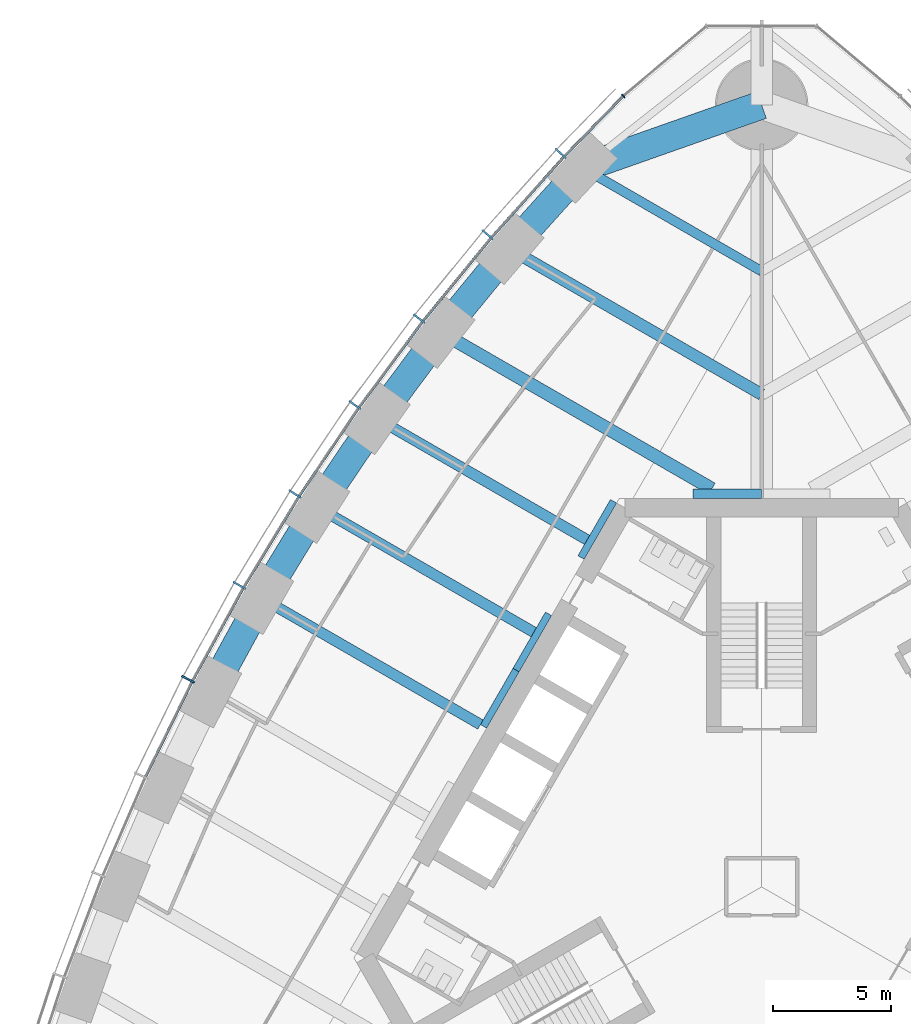
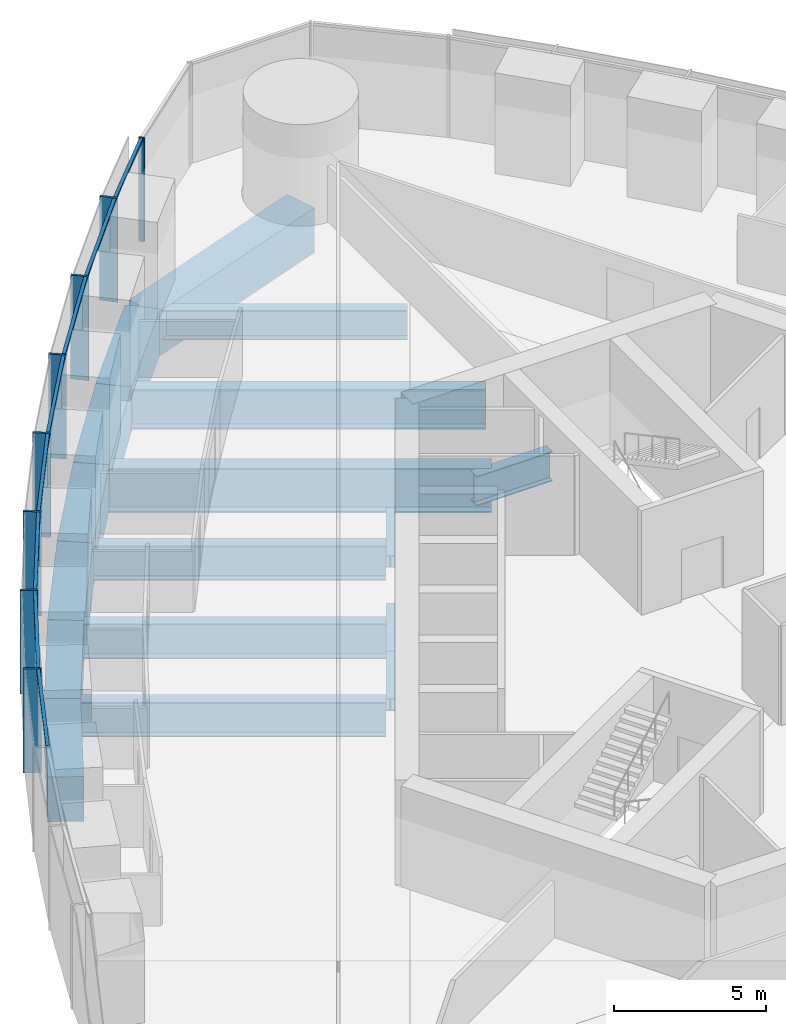
# One storey, part 5 of 19: 17 beams, 16 members, 2 elements without a shape of their own.
"""IFC4 building model written with IfcOpenShell, lengths in metres."""

from ifc_helpers import new_model, si_unit, direction, frame, origin, origin_2d, place, context, subcontext, project, spatial, rectangle, i_section, extrude, material, material_profile, profile_set, type_object, element, aggregate, save


model = new_model("IFC4")

# Units and contexts
model_context = context("Model", 3, precision=1e-05, world=origin(), true_north=direction((0.0, 1.0)))
body_context = subcontext(model_context, "Body", "Model", "MODEL_VIEW")
ifc_project = project(units=[si_unit("LENGTHUNIT", "METRE"), si_unit("AREAUNIT", "SQUARE_METRE"), si_unit("VOLUMEUNIT", "CUBIC_METRE"), si_unit("PLANEANGLEUNIT", "RADIAN"), si_unit("MASSUNIT", "GRAM", prefix="KILO")], contexts=[model_context])

# Site, building, storey
site_placement = place(None, origin())
site = spatial("IfcSite", under=ifc_project, at=site_placement, CompositionType="ELEMENT")
building_placement = place(site_placement, origin())
building = spatial("IfcBuilding", under=site, at=building_placement, Name="Trefoil Bronze Tower", CompositionType="ELEMENT")
storey_placement = place(building_placement, frame((0.0, 0.0, 189.699951171875)))
storey = spatial("IfcBuildingStorey", under=building, at=storey_placement, Name="L43", CompositionType="ELEMENT", Elevation=189.699951171875)

# Curtain wall, members
ifc_material_1 = material(Name="Tinted solar-control glass", Category="glass")
curtain_wall_type_1 = type_object("IfcCurtainWallType", Name="Bronze office curtain wall", PredefinedType="USERDEFINED", material=ifc_material_1)
curtain_wall_1_placement = place(storey_placement, origin())
curtain_wall_1 = element("IfcCurtainWall", 1, at=curtain_wall_1_placement, inside=storey, type_object=curtain_wall_type_1, Name="CW-A L43 F3", ObjectType="CURTAIN WALL", PredefinedType="USERDEFINED")
ifc_material_2 = material(Name="Bronze-finish aluminium", Category="aluminium")
ifc_material_profile_1 = material_profile(ifc_material_2, rectangle(XDim=0.60009765625, YDim=0.080078125, at=origin_2d()), Name="CW-A mullion")
ifc_profile_set_1 = profile_set([ifc_material_profile_1], Name="Bronze-finish aluminium")
member_type_1 = type_object("IfcMemberType", Name="Bronze office curtain wall mullion", PredefinedType="MULLION", material=ifc_profile_set_1)
member_1_placement = place(storey_placement, frame((-8.482177734375, 30.95654296875, 0.0), z_axis=(0.0, 0.0, 1.0), x_axis=(0.729859580661, -0.683597098091, 0.0)))
member_1 = element("IfcMember", 2, at=member_1_placement, type_object=member_type_1, Name="CW-A L43 F3 mullion 2", PredefinedType="MULLION", context=body_context, shape_type="SweptSolid", body=[
    extrude(rectangle(XDim=0.60009765625, YDim=0.080078125, at=origin_2d()), origin(), (0.0, 0.0, 1.0), 4.179931640625),
])
member_2_placement = place(storey_placement, frame((-11.564697265625, 27.525146484375, 0.0), z_axis=(0.0, 0.0, 1.0), x_axis=(0.75935470958, -0.650676897576, 0.0)))
member_2 = element("IfcMember", 3, at=member_2_placement, type_object=member_type_1, Name="CW-A L43 F3 mullion 3", PredefinedType="MULLION", context=body_context, shape_type="SweptSolid", body=[
    extrude(rectangle(XDim=0.60009765625, YDim=0.080078125, at=origin_2d()), origin(), (0.0, 0.0, 1.0), 4.179931640625),
])
member_3_placement = place(storey_placement, frame((-14.45849609375, 23.98388671875, 0.0), z_axis=(0.0, 0.0, 1.0), x_axis=(0.788821461078, -0.614622406476, 0.0)))
member_3 = element("IfcMember", 4, at=member_3_placement, type_object=member_type_1, Name="CW-A L43 F3 mullion 4", PredefinedType="MULLION", context=body_context, shape_type="SweptSolid", body=[
    extrude(rectangle(XDim=0.60009765625, YDim=0.080078125, at=origin_2d()), origin(), (0.0, 0.0, 1.0), 4.179931640625),
])
member_4_placement = place(storey_placement, frame((-17.167236328125, 20.335693359375, 0.0), z_axis=(0.0, 0.0, 1.0), x_axis=(0.81640398396, -0.577481198806, 0.0)))
member_4 = element("IfcMember", 5, at=member_4_placement, type_object=member_type_1, Name="CW-A L43 F3 mullion 5", PredefinedType="MULLION", context=body_context, shape_type="SweptSolid", body=[
    extrude(rectangle(XDim=0.60009765625, YDim=0.080078125, at=origin_2d()), origin(), (0.0, 0.0, 1.0), 4.179931640625),
])
member_5_placement = place(storey_placement, frame((-19.694091796875, 16.58251953125, 0.0), z_axis=(0.0, 0.0, 1.0), x_axis=(0.842132664593, -0.539270410114, 0.0)))
member_5 = element("IfcMember", 6, at=member_5_placement, type_object=member_type_1, Name="CW-A L43 F3 mullion 6", PredefinedType="MULLION", context=body_context, shape_type="SweptSolid", body=[
    extrude(rectangle(XDim=0.60009765625, YDim=0.080078125, at=origin_2d()), origin(), (0.0, 0.0, 1.0), 4.179931640625),
])
member_6_placement = place(storey_placement, frame((-22.041015625, 12.725341796875, 0.0), z_axis=(0.0, 0.0, 1.0), x_axis=(0.866025403784, -0.5, 0.0)))
member_6 = element("IfcMember", 7, at=member_6_placement, type_object=member_type_1, Name="CW-A L43 F3 mullion 7", PredefinedType="MULLION", context=body_context, shape_type="SweptSolid", body=[
    extrude(rectangle(XDim=0.60009765625, YDim=0.080078125, at=origin_2d()), origin(), (0.0, 0.0, 1.0), 4.179931640625),
])
member_7_placement = place(storey_placement, frame((-24.2080078125, 8.764404296875, 0.0), z_axis=(0.0, 0.0, 1.0), x_axis=(0.888088206965, -0.459673075837, 0.0)))
member_7 = element("IfcMember", 8, at=member_7_placement, type_object=member_type_1, Name="CW-A L43 F3 mullion 8", PredefinedType="MULLION", context=body_context, shape_type="SweptSolid", body=[
    extrude(rectangle(XDim=0.60009765625, YDim=0.080078125, at=origin_2d()), origin(), (0.0, 0.0, 1.0), 4.179931640625),
])
ifc_material_3 = material(Name="Bronze-finish aluminium", Category="aluminium")
ifc_material_profile_2 = material_profile(ifc_material_3, rectangle(XDim=0.1201171875, YDim=0.10009765625, at=origin_2d()), Name="CW-A transom")
ifc_profile_set_2 = profile_set([ifc_material_profile_2], Name="Bronze-finish aluminium")
member_type_2 = type_object("IfcMemberType", Name="Bronze office curtain wall transom", PredefinedType="USERDEFINED", material=ifc_profile_set_2)
member_8_placement = place(storey_placement, frame((-5.873046875, 33.342529296875, 4.130126953125), z_axis=(-0.698646935368, -0.715466602785, 0.0), x_axis=(0.715466602785, -0.698646935368, 0.0)))
member_8 = element("IfcMember", 9, at=member_8_placement, type_object=member_type_2, Name="CW-A L43 F3 transom 1", ObjectType="TRANSOM", PredefinedType="USERDEFINED", context=body_context, shape_type="SweptSolid", body=[
    extrude(rectangle(XDim=0.1201171875, YDim=0.10009765625, at=origin_2d()), origin(), (0.0, 0.0, 1.0), 3.483642578125),
])
member_9_placement = place(storey_placement, frame((-8.364501953125, 30.78857421875, 4.130126953125), z_axis=(-0.66825109551, -0.743935799213, 0.0), x_axis=(0.743935799213, -0.66825109551, 0.0)))
member_9 = element("IfcMember", 10, at=member_9_placement, type_object=member_type_2, Name="CW-A L43 F3 transom 2", ObjectType="TRANSOM", PredefinedType="USERDEFINED", context=body_context, shape_type="SweptSolid", body=[
    extrude(rectangle(XDim=0.1201171875, YDim=0.10009765625, at=origin_2d()), origin(), (0.0, 0.0, 1.0), 4.519287109375),
])
member_10_placement = place(storey_placement, frame((-11.439453125, 27.3623046875, 4.130126953125), z_axis=(-0.632756871921, -0.774350528531, 0.0), x_axis=(0.774350528531, -0.632756871921, 0.0)))
member_10 = element("IfcMember", 11, at=member_10_placement, type_object=member_type_2, Name="CW-A L43 F3 transom 3", ObjectType="TRANSOM", PredefinedType="USERDEFINED", context=body_context, shape_type="SweptSolid", body=[
    extrude(rectangle(XDim=0.1201171875, YDim=0.10009765625, at=origin_2d()), origin(), (0.0, 0.0, 1.0), 4.4794921875),
])
member_11_placement = place(storey_placement, frame((-14.325927734375, 23.826904296875, 4.130126953125), z_axis=(-0.59614822717, -0.802874393191, 0.0), x_axis=(0.802874393191, -0.59614822717, 0.0)))
member_11 = element("IfcMember", 12, at=member_11_placement, type_object=member_type_2, Name="CW-A L43 F3 transom 4", ObjectType="TRANSOM", PredefinedType="USERDEFINED", context=body_context, shape_type="SweptSolid", body=[
    extrude(rectangle(XDim=0.1201171875, YDim=0.10009765625, at=origin_2d()), origin(), (0.0, 0.0, 1.0), 4.449951171875),
])
member_12_placement = place(storey_placement, frame((-17.027587890625, 20.18505859375, 4.130126953125), z_axis=(-0.558509087547, -0.829498402125, 0.0), x_axis=(0.829498402125, -0.558509087547, 0.0)))
member_12 = element("IfcMember", 13, at=member_12_placement, type_object=member_type_2, Name="CW-A L43 F3 transom 5", ObjectType="TRANSOM", PredefinedType="USERDEFINED", context=body_context, shape_type="SweptSolid", body=[
    extrude(rectangle(XDim=0.1201171875, YDim=0.10009765625, at=origin_2d()), origin(), (0.0, 0.0, 1.0), 4.4306640625),
])
member_13_placement = place(storey_placement, frame((-19.5478515625, 16.4384765625, 4.130126953125), z_axis=(-0.519740214649, -0.854324358354, 0.0), x_axis=(0.854324358354, -0.519740214649, 0.0)))
member_13 = element("IfcMember", 14, at=member_13_placement, type_object=member_type_2, Name="CW-A L43 F3 transom 6", ObjectType="TRANSOM", PredefinedType="USERDEFINED", context=body_context, shape_type="SweptSolid", body=[
    extrude(rectangle(XDim=0.1201171875, YDim=0.10009765625, at=origin_2d()), origin(), (0.0, 0.0, 1.0), 4.421142578125),
])
member_14_placement = place(storey_placement, frame((-21.887939453125, 12.588134765625, 4.130126953125), z_axis=(-0.479973729071, -0.877282861683, 0.0), x_axis=(0.877282861683, -0.479973729071, 0.0)))
member_14 = element("IfcMember", 15, at=member_14_placement, type_object=member_type_2, Name="CW-A L43 F3 transom 7", ObjectType="TRANSOM", PredefinedType="USERDEFINED", context=body_context, shape_type="SweptSolid", body=[
    extrude(rectangle(XDim=0.1201171875, YDim=0.10009765625, at=origin_2d()), origin(), (0.0, 0.0, 1.0), 4.421142578125),
])
member_15_placement = place(storey_placement, frame((-24.048828125, 8.634521484375, 4.130126953125), z_axis=(-0.439150835991, -0.898413347657, 0.0), x_axis=(0.898413347657, -0.439150835991, 0.0)))
member_15 = element("IfcMember", 16, at=member_15_placement, type_object=member_type_2, Name="CW-A L43 F3 transom 8", ObjectType="TRANSOM", PredefinedType="USERDEFINED", context=body_context, shape_type="SweptSolid", body=[
    extrude(rectangle(XDim=0.1201171875, YDim=0.10009765625, at=origin_2d()), origin(), (0.0, 0.0, 1.0), 4.430908203125),
])
aggregate(curtain_wall_1, [member_1, member_2, member_3, member_4, member_5, member_6, member_7, member_8, member_9, member_10, member_11, member_12, member_13, member_14, member_15])

# Curtain wall, member
ifc_material_4 = material(Name="Tinted solar-control glass", Category="glass")
curtain_wall_type_2 = type_object("IfcCurtainWallType", Name="Bronze rounded corner curtain wall", PredefinedType="USERDEFINED", material=ifc_material_4)
curtain_wall_2_placement = place(storey_placement, origin())
curtain_wall_2 = element("IfcCurtainWall", 17, at=curtain_wall_2_placement, inside=storey, type_object=curtain_wall_type_2, Name="CW-B L43 K2", ObjectType="CURTAIN WALL", PredefinedType="USERDEFINED")
ifc_material_5 = material(Name="Bronze-finish aluminium", Category="aluminium")
ifc_material_profile_3 = material_profile(ifc_material_5, rectangle(XDim=0.199951171875, YDim=0.06005859375, at=origin_2d()), Name="CW-B mullion")
ifc_profile_set_3 = profile_set([ifc_material_profile_3], Name="Bronze-finish aluminium")
member_type_3 = type_object("IfcMemberType", Name="Bronze rounded corner curtain wall mullion", PredefinedType="MULLION", material=ifc_profile_set_3)
member_16_placement = place(storey_placement, frame((-5.837890625, 33.3779296875, 0.0), z_axis=(0.0, 0.0, 1.0), x_axis=(0.642787609687, -0.766044443119, 0.0)))
member_16 = element("IfcMember", 18, at=member_16_placement, type_object=member_type_3, Name="CW-B L43 K2 mullion 4", PredefinedType="MULLION", context=body_context, shape_type="SweptSolid", body=[
    extrude(rectangle(XDim=0.199951171875, YDim=0.06005859375, at=origin_2d()), origin(), (0.0, 0.0, 1.0), 4.179931640625),
])
aggregate(curtain_wall_2, [member_16])

# Beams
ifc_material_6 = material(Name="Steel C355", Category="steel")
ifc_material_profile_4 = material_profile(ifc_material_6, i_section(OverallWidth=0.300048828125, OverallDepth=0.5, WebThickness=0.014404296875, FlangeThickness=0.028076171875, FilletRadius=0.027099609375, at=origin_2d()), Name="HEB 500")
ifc_profile_set_4 = profile_set([ifc_material_profile_4], Name="Steel C355")
beam_type_1 = type_object("IfcBeamType", Name="Core seat beam HEB 500", PredefinedType="BEAM", material=ifc_profile_set_4)
for number, where, z_axis, x_axis, name in (
    (19, (-6.249755859375, 16.27490234375, -0.449951171875), (-0.500035825175, -0.866004719122, 0.0), (0.866004719122, -0.500035825175, 0.0), "Core seat beam F3/-2 L43"),
    (20, (-8.9921875, 11.52490234375, -0.449951171875), (-0.500035825175, -0.866004719122, 0.0), (0.866004719122, -0.500035825175, 0.0), "Core seat beam F3/-1 L43"),
    (21, (-10.363525390625, 9.14990234375, -0.449951171875), (-0.499969057507, -0.866043267704, 0.0), (0.866043267704, -0.499969057507, 0.0), "Core seat beam F3/+0 L43"),
):
    element("IfcBeam", number, at=place(storey_placement, frame(where, z_axis=z_axis, x_axis=x_axis)), inside=storey, type_object=beam_type_1, Name=name, PredefinedType="BEAM", context=body_context, shape_type="SweptSolid", body=[
        extrude(i_section(OverallWidth=0.300048828125, OverallDepth=0.5, WebThickness=0.014404296875, FlangeThickness=0.028076171875, FilletRadius=0.027099609375, at=origin_2d()), origin(), (0.0, 0.0, 1.0), 2.742431640625),
    ])
ifc_material_7 = material(Name="Steel C355", Category="steel")
ifc_material_profile_5 = material_profile(ifc_material_7, i_section(OverallWidth=0.39990234375, OverallDepth=1.199951171875, WebThickness=0.02001953125, FlangeThickness=0.0400390625, FilletRadius=0.010009765625, at=origin_2d()), Name="WPG 1200")
ifc_profile_set_5 = profile_set([ifc_material_profile_5], Name="Steel C355")
beam_type_2 = type_object("IfcBeamType", Name="Core seat beam WPG 1200", PredefinedType="BEAM", material=ifc_profile_set_5)
beam_1_placement = place(storey_placement, frame((0.0, 16.60009765625, -0.800048828125), z_axis=(-1.0, 0.0, 0.0), x_axis=(0.0, -1.0, 0.0)))
element("IfcBeam", 22, at=beam_1_placement, inside=storey, type_object=beam_type_2, Name="Core seat beam F3/-3 L43", PredefinedType="BEAM", context=body_context, shape_type="SweptSolid", body=[
    extrude(i_section(OverallWidth=0.39990234375, OverallDepth=1.199951171875, WebThickness=0.02001953125, FlangeThickness=0.0400390625, FilletRadius=0.010009765625, at=origin_2d()), origin(), (0.0, 0.0, 1.0), 2.88671875),
])
ifc_material_8 = material(Name="Concrete B80", Category="concrete")
ifc_material_profile_6 = material_profile(ifc_material_8, rectangle(XDim=1.199951171875, YDim=1.800048828125, at=origin_2d()), Name="RC 1200x1800")
ifc_profile_set_6 = profile_set([ifc_material_profile_6], Name="Concrete B80")
beam_type_3 = type_object("IfcBeamType", Name="End spandrel beam RC 1200x1800", PredefinedType="SPANDREL", material=ifc_profile_set_6)
beam_2_placement = place(storey_placement, frame((0.0, 33.0, -1.099853515625), z_axis=(-0.943234397359, -0.332127794137, 0.0), x_axis=(0.332127794137, -0.943234397359, 0.0)))
element("IfcBeam", 23, at=beam_2_placement, inside=storey, type_object=beam_type_3, Name="Spandrel F3.1 L43", PredefinedType="SPANDREL", context=body_context, shape_type="SweptSolid", body=[
    extrude(rectangle(XDim=1.199951171875, YDim=1.800048828125, at=origin_2d()), origin(), (0.0, 0.0, 1.0), 8.006591796875),
])
ifc_material_9 = material(Name="Steel C355", Category="steel")
ifc_material_profile_7 = material_profile(ifc_material_9, i_section(OverallWidth=0.39990234375, OverallDepth=1.199951171875, WebThickness=0.02001953125, FlangeThickness=0.0400390625, FilletRadius=0.010009765625, at=origin_2d()), Name="WPG 1200")
ifc_profile_set_7 = profile_set([ifc_material_profile_7], Name="Steel C355")
beam_type_4 = type_object("IfcBeamType", Name="Floor beam WPG 1200", PredefinedType="BEAM", material=ifc_profile_set_7)
beam_3_placement = place(storey_placement, frame((-7.552001953125, 30.3408203125, -0.800048828125), z_axis=(0.866027535932, -0.499996306993, 0.0), x_axis=(0.499996306993, 0.866027535932, 0.0)))
element("IfcBeam", 24, at=beam_3_placement, inside=storey, type_object=beam_type_4, Name="Floor beam F3/-5 L43", PredefinedType="BEAM", context=body_context, shape_type="SweptSolid", body=[
    extrude(i_section(OverallWidth=0.39990234375, OverallDepth=1.199951171875, WebThickness=0.02001953125, FlangeThickness=0.0400390625, FilletRadius=0.010009765625, at=origin_2d()), origin(), (0.0, 0.0, 1.0), 8.72021484375),
])
ifc_material_10 = material(Name="Steel C355", Category="steel")
ifc_material_profile_8 = material_profile(ifc_material_10, i_section(OverallWidth=0.449951171875, OverallDepth=1.39990234375, WebThickness=0.02294921875, FlangeThickness=0.044921875, FilletRadius=0.011962890625, at=origin_2d()), Name="WPG 1400")
ifc_profile_set_8 = profile_set([ifc_material_profile_8], Name="Steel C355")
beam_type_5 = type_object("IfcBeamType", Name="Floor beam WPG 1400", PredefinedType="BEAM", material=ifc_profile_set_8)
beam_4_placement = place(storey_placement, frame((-16.2265625, 19.7607421875, -0.89990234375), z_axis=(0.866027856548, -0.499995751665, 0.0), x_axis=(0.499995751665, 0.866027856548, 0.0)))
element("IfcBeam", 25, at=beam_4_placement, inside=storey, type_object=beam_type_5, Name="Floor beam F3/-2 L43", PredefinedType="BEAM", context=body_context, shape_type="SweptSolid", body=[
    extrude(i_section(OverallWidth=0.449951171875, OverallDepth=1.39990234375, WebThickness=0.02294921875, FlangeThickness=0.044921875, FilletRadius=0.011962890625, at=origin_2d()), origin(), (0.0, 0.0, 1.0), 10.23291015625),
])
beam_5_placement = place(storey_placement, frame((-18.748046875, 16.020263671875, -0.89990234375), z_axis=(0.866027918957, -0.499995643569, 0.0), x_axis=(0.499995643569, 0.866027918957, 0.0)))
element("IfcBeam", 26, at=beam_5_placement, inside=storey, type_object=beam_type_5, Name="Floor beam F3/-1 L43", PredefinedType="BEAM", context=body_context, shape_type="SweptSolid", body=[
    extrude(i_section(OverallWidth=0.449951171875, OverallDepth=1.39990234375, WebThickness=0.02294921875, FlangeThickness=0.044921875, FilletRadius=0.011962890625, at=origin_2d()), origin(), (0.0, 0.0, 1.0), 10.54638671875),
])
beam_6_placement = place(storey_placement, frame((-21.08837890625, 12.17529296875, -0.89990234375), z_axis=(0.866034044198, -0.499985034066, 0.0), x_axis=(0.499985034066, 0.866034044198, 0.0)))
element("IfcBeam", 27, at=beam_6_placement, inside=storey, type_object=beam_type_5, Name="Floor beam F3/+0 L43", PredefinedType="BEAM", context=body_context, shape_type="SweptSolid", body=[
    extrude(i_section(OverallWidth=0.449951171875, OverallDepth=1.39990234375, WebThickness=0.02294921875, FlangeThickness=0.044921875, FilletRadius=0.011962890625, at=origin_2d()), origin(), (0.0, 0.0, 1.0), 10.650634765625),
])
ifc_material_11 = material(Name="Steel C355", Category="steel")
ifc_material_profile_9 = material_profile(ifc_material_11, i_section(OverallWidth=0.5, OverallDepth=1.60009765625, WebThickness=0.02587890625, FlangeThickness=0.050048828125, FilletRadius=0.011962890625, at=origin_2d()), Name="WPG 1600")
ifc_profile_set_9 = profile_set([ifc_material_profile_9], Name="Steel C355")
beam_type_6 = type_object("IfcBeamType", Name="Floor beam WPG 1600", PredefinedType="BEAM", material=ifc_profile_set_9)
beam_7_placement = place(storey_placement, frame((-10.632080078125, 26.923095703125, -1.0), z_axis=(0.866025635187, -0.499999599199, 0.0), x_axis=(0.499999599199, 0.866025635187, 0.0)))
element("IfcBeam", 28, at=beam_7_placement, inside=storey, type_object=beam_type_6, Name="Floor beam F3/-4 L43", PredefinedType="BEAM", context=body_context, shape_type="SweptSolid", body=[
    extrude(i_section(OverallWidth=0.5, OverallDepth=1.60009765625, WebThickness=0.02587890625, FlangeThickness=0.050048828125, FilletRadius=0.011962890625, at=origin_2d()), origin(), (0.0, 0.0, 1.0), 12.27685546875),
])
ifc_material_12 = material(Name="Steel C355", Category="steel")
ifc_material_profile_10 = material_profile(ifc_material_12, i_section(OverallWidth=0.550048828125, OverallDepth=1.800048828125, WebThickness=0.029052734375, FlangeThickness=0.054931640625, FilletRadius=0.013916015625, at=origin_2d()), Name="WPG 1800")
ifc_profile_set_10 = profile_set([ifc_material_profile_10], Name="Steel C355")
beam_type_7 = type_object("IfcBeamType", Name="Floor beam WPG 1800", PredefinedType="BEAM", material=ifc_profile_set_10)
beam_8_placement = place(storey_placement, frame((-13.522216796875, 23.3955078125, -1.099853515625), z_axis=(0.866028399451, -0.499994811317, 0.0), x_axis=(0.499994811317, 0.866028399451, 0.0)))
element("IfcBeam", 29, at=beam_8_placement, inside=storey, type_object=beam_type_7, Name="Floor beam F3/-3 L43", PredefinedType="BEAM", context=body_context, shape_type="SweptSolid", body=[
    extrude(i_section(OverallWidth=0.550048828125, OverallDepth=1.800048828125, WebThickness=0.029052734375, FlangeThickness=0.054931640625, FilletRadius=0.013916015625, at=origin_2d()), origin(), (0.0, 0.0, 1.0), 13.191162109375),
])
ifc_material_13 = material(Name="Concrete B80", Category="concrete")
ifc_material_profile_11 = material_profile(ifc_material_13, rectangle(XDim=1.199951171875, YDim=1.800048828125, at=origin_2d()), Name="RC 1200x1800")
ifc_profile_set_11 = profile_set([ifc_material_profile_11], Name="Concrete B80")
beam_type_8 = type_object("IfcBeamType", Name="Spandrel beam RC 1200x1800", PredefinedType="SPANDREL", material=ifc_profile_set_11)
beam_9_placement = place(storey_placement, frame((-7.552001953125, 30.3408203125, -1.099853515625), z_axis=(-0.669460045872, -0.742848064534, 0.0), x_axis=(0.742848064534, -0.669460045872, 0.0)))
element("IfcBeam", 30, at=beam_9_placement, inside=storey, type_object=beam_type_8, Name="Spandrel F3.2 L43", PredefinedType="SPANDREL", context=body_context, shape_type="SweptSolid", body=[
    extrude(rectangle(XDim=1.199951171875, YDim=1.800048828125, at=origin_2d()), origin(), (0.0, 0.0, 1.0), 4.600830078125),
])
beam_10_placement = place(storey_placement, frame((-10.632080078125, 26.923095703125, -1.099853515625), z_axis=(-0.633753657863, -0.773534938542, 0.0), x_axis=(0.773534938542, -0.633753657863, 0.0)))
element("IfcBeam", 31, at=beam_10_placement, inside=storey, type_object=beam_type_8, Name="Spandrel F3.3 L43", PredefinedType="SPANDREL", context=body_context, shape_type="SweptSolid", body=[
    extrude(rectangle(XDim=1.199951171875, YDim=1.800048828125, at=origin_2d()), origin(), (0.0, 0.0, 1.0), 4.560302734375),
])
beam_11_placement = place(storey_placement, frame((-13.522216796875, 23.3955078125, -1.099853515625), z_axis=(-0.596926078257, -0.802296240236, 0.0), x_axis=(0.802296240236, -0.596926078257, 0.0)))
element("IfcBeam", 32, at=beam_11_placement, inside=storey, type_object=beam_type_8, Name="Spandrel F3.4 L43", PredefinedType="SPANDREL", context=body_context, shape_type="SweptSolid", body=[
    extrude(rectangle(XDim=1.199951171875, YDim=1.800048828125, at=origin_2d()), origin(), (0.0, 0.0, 1.0), 4.530517578125),
])
beam_12_placement = place(storey_placement, frame((-16.2265625, 19.7607421875, -1.099853515625), z_axis=(-0.558964302753, -0.829191719838, 0.0), x_axis=(0.829191719838, -0.558964302753, 0.0)))
element("IfcBeam", 33, at=beam_12_placement, inside=storey, type_object=beam_type_8, Name="Spandrel F3.5 L43", PredefinedType="SPANDREL", context=body_context, shape_type="SweptSolid", body=[
    extrude(rectangle(XDim=1.199951171875, YDim=1.800048828125, at=origin_2d()), origin(), (0.0, 0.0, 1.0), 4.510986328125),
])
for number, where, z_axis, x_axis, name in (
    (34, (-18.748046875, 16.020263671875, -1.099853515625), (-0.519933181394, -0.854206934464, 0.0), (0.854206934464, -0.519933181394, 0.0), "Spandrel F3.6 L43"),
    (35, (-21.08837890625, 12.17529296875, -1.099853515625), (-0.479801903802, -0.87737684783, 0.0), (0.87737684783, -0.479801903802, 0.0), "Spandrel F3.7 L43"),
):
    element("IfcBeam", number, at=place(storey_placement, frame(where, z_axis=z_axis, x_axis=x_axis)), inside=storey, type_object=beam_type_8, Name=name, PredefinedType="SPANDREL", context=body_context, shape_type="SweptSolid", body=[
        extrude(rectangle(XDim=1.199951171875, YDim=1.800048828125, at=origin_2d()), origin(), (0.0, 0.0, 1.0), 4.501220703125),
    ])

save(model, "model.ifc")
